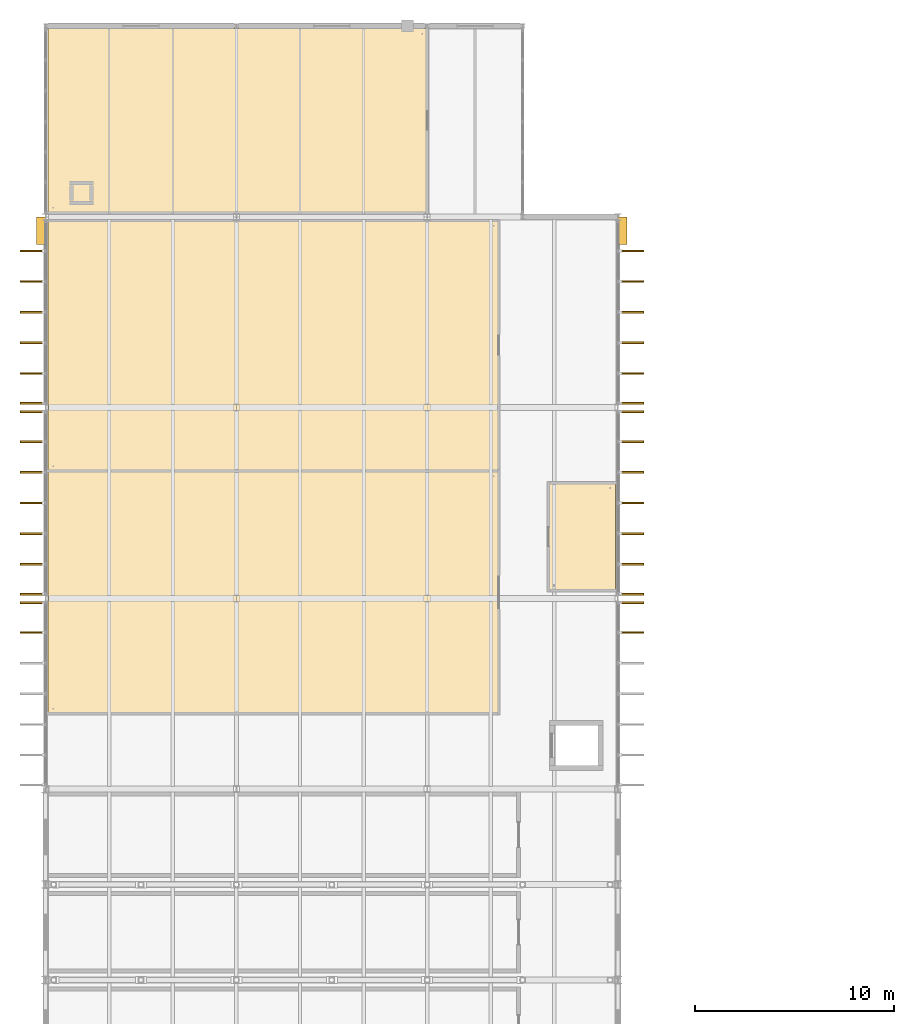
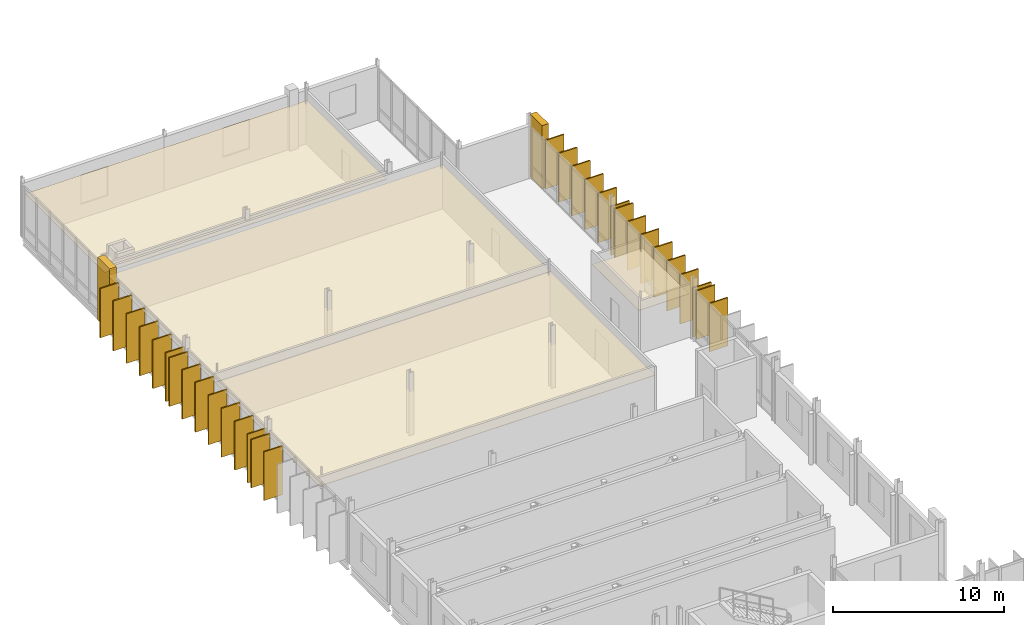
# One storey, part 108 of 110: 36 coverings.
"""IFC4 building model written with IfcOpenShell, lengths in metres."""

from ifc_helpers import new_model, si_unit, direction, frame, origin, origin_2d, place, context, subcontext, project, spatial, polyline, rectangle, outline, extrude, material, layer, layer_set, type_object, element, save


model = new_model("IFC4")

# Units and contexts
model_context = context("Model", 3, precision=1e-05, world=origin(), true_north=direction((0.0, 1.0)))
body_context = subcontext(model_context, "Body", "Model", "MODEL_VIEW")
ifc_project = project(units=[si_unit("LENGTHUNIT", "METRE"), si_unit("AREAUNIT", "SQUARE_METRE"), si_unit("VOLUMEUNIT", "CUBIC_METRE"), si_unit("PLANEANGLEUNIT", "RADIAN"), si_unit("MASSUNIT", "GRAM", prefix="KILO")], contexts=[model_context])

# Site, building, storey
site_placement = place(None, origin())
site = spatial("IfcSite", under=ifc_project, at=site_placement, CompositionType="ELEMENT")
building_placement = place(site_placement, origin())
building = spatial("IfcBuilding", under=site, at=building_placement, Name="Dunescarp Central Library", CompositionType="ELEMENT")
storey_placement = place(building_placement, frame((0.0, 0.0, 9.60009765625)))
storey = spatial("IfcBuildingStorey", under=building, at=storey_placement, Name="L02", CompositionType="ELEMENT", Elevation=9.60009765625)

# Coverings
ifc_material_1 = material(Name="Mineral-fibre acoustic ceiling tile")
ifc_layer_1 = layer(ifc_material_1, 0.0400390625)
ifc_layer_set_1 = layer_set([ifc_layer_1], Name="Mineral-fibre acoustic ceiling tile")
covering_type_1 = type_object("IfcCoveringType", Name="ARC-COV-CEIL40", PredefinedType="CEILING", material=ifc_layer_set_1)
covering_1_placement = place(storey_placement, frame((0.0, 0.0, 3.0498046875)))
element("IfcCovering", 1, at=covering_1_placement, inside=storey, type_object=covering_type_1, Name="L02 ceiling West Maker Wing WC", PredefinedType="CEILING", context=body_context, shape_type="SweptSolid", body=[
    extrude(outline(polyline([(25.280029296875, 70.780029296875), (28.679931640625, 70.780029296875), (28.679931640625, 76.219970703125), (25.280029296875, 76.219970703125), (25.280029296875, 70.780029296875)])), origin(), (0.0, 0.0, 1.0), 0.0400390625),
])
covering_2_placement = place(storey_placement, frame((0.0, 0.0, 3.0498046875)))
element("IfcCovering", 2, at=covering_2_placement, inside=storey, type_object=covering_type_1, Name="L02 ceiling Textile, Laser & Woodwork Makerspace", PredefinedType="CEILING", context=body_context, shape_type="SweptSolid", body=[
    extrude(outline(polyline([(0.1201171875, 64.580078125), (22.820068359375, 64.580078125), (22.820068359375, 76.820068359375), (0.1201171875, 76.820068359375), (0.1201171875, 64.580078125)])), origin(), (0.0, 0.0, 1.0), 0.0400390625),
])
covering_3_placement = place(storey_placement, frame((0.0, 0.0, 3.0498046875)))
element("IfcCovering", 3, at=covering_3_placement, inside=storey, type_object=covering_type_1, Name="L02 ceiling Interactive Design & CAD Studio", PredefinedType="CEILING", context=body_context, shape_type="SweptSolid", body=[
    extrude(outline(polyline([(0.1201171875, 76.780029296875), (22.820068359375, 76.780029296875), (22.820068359375, 89.419921875), (0.1201171875, 89.419921875), (0.1201171875, 76.780029296875)])), origin(), (0.0, 0.0, 1.0), 0.0400390625),
])
covering_4_placement = place(storey_placement, frame((0.0, 0.0, 3.0498046875)))
element("IfcCovering", 4, at=covering_4_placement, inside=storey, type_object=covering_type_1, Name="L02 ceiling GIS & Urban Climate Lab", PredefinedType="CEILING", context=body_context, shape_type="SweptSolid", body=[
    extrude(outline(polyline([(0.1201171875, 89.780029296875), (19.219970703125, 89.780029296875), (19.219970703125, 99.080078125), (0.1201171875, 99.080078125), (0.1201171875, 89.780029296875)])), origin(), (0.0, 0.0, 1.0), 0.0400390625),
])
ifc_material_2 = material(Name="Glass-fibre reinforced concrete GRC", Category="concrete")
ifc_layer_2 = layer(ifc_material_2, 0.090087890625)
ifc_layer_set_2 = layer_set([ifc_layer_2], Name="Glass-fibre reinforced concrete GRC")
covering_type_2 = type_object("IfcCoveringType", Name="ARC-COV-FIN1250", PredefinedType="CLADDING", material=ifc_layer_set_2)
covering_5_placement = place(storey_placement, frame((-0.662109375, 68.68310546875, 0.080322265625), z_axis=(0.0, 0.0, 1.0), x_axis=(-1.0, 0.0, 0.0)))
element("IfcCovering", 5, at=covering_5_placement, inside=storey, type_object=covering_type_2, Name="L02 parametric vertical facade fin FIN-L02-0828", PredefinedType="CLADDING", context=body_context, shape_type="SweptSolid", body=[
    extrude(rectangle(XDim=1.25, YDim=0.090087890625, at=origin_2d()), origin(), (0.0, 0.0, 1.0), 3.48095703125),
])
covering_6_placement = place(storey_placement, frame((-0.662109375, 70.18505859375, 0.080078125), z_axis=(0.0, 0.0, 1.0), x_axis=(-1.0, 0.0, 0.0)))
element("IfcCovering", 6, at=covering_6_placement, inside=storey, type_object=covering_type_2, Name="L02 parametric vertical facade fin FIN-L02-0829", PredefinedType="CLADDING", context=body_context, shape_type="SweptSolid", body=[
    extrude(rectangle(XDim=1.25, YDim=0.090087890625, at=origin_2d()), origin(), (0.0, 0.0, 1.0), 3.447998046875),
])
covering_7_placement = place(storey_placement, frame((29.4619140625, 70.18505859375, 0.166259765625), z_axis=(0.0, 0.0, 1.0), x_axis=(1.0, 0.0, 0.0)))
element("IfcCovering", 7, at=covering_7_placement, inside=storey, type_object=covering_type_2, Name="L02 parametric vertical facade fin FIN-L02-0830", PredefinedType="CLADDING", context=body_context, shape_type="SweptSolid", body=[
    extrude(rectangle(XDim=1.25, YDim=0.090087890625, at=origin_2d()), origin(), (0.0, 0.0, 1.0), 3.455078125),
])
covering_8_placement = place(storey_placement, frame((29.4619140625, 68.68310546875, 0.179931640625), z_axis=(0.0, 0.0, 1.0), x_axis=(1.0, 0.0, 0.0)))
element("IfcCovering", 8, at=covering_8_placement, inside=storey, type_object=covering_type_2, Name="L02 parametric vertical facade fin FIN-L02-0831", PredefinedType="CLADDING", context=body_context, shape_type="SweptSolid", body=[
    extrude(rectangle(XDim=1.25, YDim=0.090087890625, at=origin_2d()), origin(), (0.0, 0.0, 1.0), 3.44189453125),
])
covering_9_placement = place(storey_placement, frame((-0.662109375, 70.614990234375, 0.1669921875), z_axis=(0.0, 0.0, 1.0), x_axis=(-1.0, 0.0, 0.0)))
element("IfcCovering", 9, at=covering_9_placement, inside=storey, type_object=covering_type_2, Name="L02 parametric vertical facade fin FIN-L02-0837", PredefinedType="CLADDING", context=body_context, shape_type="SweptSolid", body=[
    extrude(rectangle(XDim=1.25, YDim=0.090087890625, at=origin_2d()), origin(), (0.0, 0.0, 1.0), 3.488037109375),
])
covering_10_placement = place(storey_placement, frame((-0.662109375, 72.116943359375, 0.180419921875), z_axis=(0.0, 0.0, 1.0), x_axis=(-1.0, 0.0, 0.0)))
element("IfcCovering", 10, at=covering_10_placement, inside=storey, type_object=covering_type_2, Name="L02 parametric vertical facade fin FIN-L02-0838", PredefinedType="CLADDING", context=body_context, shape_type="SweptSolid", body=[
    extrude(rectangle(XDim=1.25, YDim=0.090087890625, at=origin_2d()), origin(), (0.0, 0.0, 1.0), 3.47509765625),
])
covering_11_placement = place(storey_placement, frame((-0.662109375, 73.657958984375, 0.16357421875), z_axis=(0.0, 0.0, 1.0), x_axis=(-1.0, 0.0, 0.0)))
element("IfcCovering", 11, at=covering_11_placement, inside=storey, type_object=covering_type_2, Name="L02 parametric vertical facade fin FIN-L02-0839", PredefinedType="CLADDING", context=body_context, shape_type="SweptSolid", body=[
    extrude(rectangle(XDim=1.25, YDim=0.090087890625, at=origin_2d()), origin(), (0.0, 0.0, 1.0), 3.490966796875),
])
covering_12_placement = place(storey_placement, frame((-0.662109375, 75.199951171875, 0.123046875), z_axis=(0.0, 0.0, 1.0), x_axis=(-1.0, 0.0, 0.0)))
element("IfcCovering", 12, at=covering_12_placement, inside=storey, type_object=covering_type_2, Name="L02 parametric vertical facade fin FIN-L02-0840", PredefinedType="CLADDING", context=body_context, shape_type="SweptSolid", body=[
    extrude(rectangle(XDim=1.25, YDim=0.090087890625, at=origin_2d()), origin(), (0.0, 0.0, 1.0), 3.531982421875),
])
covering_13_placement = place(storey_placement, frame((-0.662109375, 76.741943359375, 0.079833984375), z_axis=(0.0, 0.0, 1.0), x_axis=(-1.0, 0.0, 0.0)))
element("IfcCovering", 13, at=covering_13_placement, inside=storey, type_object=covering_type_2, Name="L02 parametric vertical facade fin FIN-L02-0841", PredefinedType="CLADDING", context=body_context, shape_type="SweptSolid", body=[
    extrude(rectangle(XDim=1.25, YDim=0.090087890625, at=origin_2d()), origin(), (0.0, 0.0, 1.0), 3.56396484375),
])
covering_14_placement = place(storey_placement, frame((-0.662109375, 78.282958984375, 0.080078125), z_axis=(0.0, 0.0, 1.0), x_axis=(-1.0, 0.0, 0.0)))
element("IfcCovering", 14, at=covering_14_placement, inside=storey, type_object=covering_type_2, Name="L02 parametric vertical facade fin FIN-L02-0842", PredefinedType="CLADDING", context=body_context, shape_type="SweptSolid", body=[
    extrude(rectangle(XDim=1.25, YDim=0.090087890625, at=origin_2d()), origin(), (0.0, 0.0, 1.0), 3.513916015625),
])
covering_15_placement = place(storey_placement, frame((-0.662109375, 79.784912109375, 0.080322265625), z_axis=(0.0, 0.0, 1.0), x_axis=(-1.0, 0.0, 0.0)))
element("IfcCovering", 15, at=covering_15_placement, inside=storey, type_object=covering_type_2, Name="L02 parametric vertical facade fin FIN-L02-0843", PredefinedType="CLADDING", context=body_context, shape_type="SweptSolid", body=[
    extrude(rectangle(XDim=1.25, YDim=0.090087890625, at=origin_2d()), origin(), (0.0, 0.0, 1.0), 3.48095703125),
])
covering_16_placement = place(storey_placement, frame((29.4619140625, 79.784912109375, 0.1669921875), z_axis=(0.0, 0.0, 1.0), x_axis=(1.0, 0.0, 0.0)))
element("IfcCovering", 16, at=covering_16_placement, inside=storey, type_object=covering_type_2, Name="L02 parametric vertical facade fin FIN-L02-0844", PredefinedType="CLADDING", context=body_context, shape_type="SweptSolid", body=[
    extrude(rectangle(XDim=1.25, YDim=0.090087890625, at=origin_2d()), origin(), (0.0, 0.0, 1.0), 3.488037109375),
])
covering_17_placement = place(storey_placement, frame((29.4619140625, 78.282958984375, 0.180419921875), z_axis=(0.0, 0.0, 1.0), x_axis=(1.0, 0.0, 0.0)))
element("IfcCovering", 17, at=covering_17_placement, inside=storey, type_object=covering_type_2, Name="L02 parametric vertical facade fin FIN-L02-0845", PredefinedType="CLADDING", context=body_context, shape_type="SweptSolid", body=[
    extrude(rectangle(XDim=1.25, YDim=0.090087890625, at=origin_2d()), origin(), (0.0, 0.0, 1.0), 3.47509765625),
])
covering_18_placement = place(storey_placement, frame((29.4619140625, 76.741943359375, 0.16357421875), z_axis=(0.0, 0.0, 1.0), x_axis=(1.0, 0.0, 0.0)))
element("IfcCovering", 18, at=covering_18_placement, inside=storey, type_object=covering_type_2, Name="L02 parametric vertical facade fin FIN-L02-0846", PredefinedType="CLADDING", context=body_context, shape_type="SweptSolid", body=[
    extrude(rectangle(XDim=1.25, YDim=0.090087890625, at=origin_2d()), origin(), (0.0, 0.0, 1.0), 3.490966796875),
])
covering_19_placement = place(storey_placement, frame((29.4619140625, 75.199951171875, 0.123046875), z_axis=(0.0, 0.0, 1.0), x_axis=(1.0, 0.0, 0.0)))
element("IfcCovering", 19, at=covering_19_placement, inside=storey, type_object=covering_type_2, Name="L02 parametric vertical facade fin FIN-L02-0847", PredefinedType="CLADDING", context=body_context, shape_type="SweptSolid", body=[
    extrude(rectangle(XDim=1.25, YDim=0.090087890625, at=origin_2d()), origin(), (0.0, 0.0, 1.0), 3.531982421875),
])
covering_20_placement = place(storey_placement, frame((29.4619140625, 73.657958984375, 0.079833984375), z_axis=(0.0, 0.0, 1.0), x_axis=(1.0, 0.0, 0.0)))
element("IfcCovering", 20, at=covering_20_placement, inside=storey, type_object=covering_type_2, Name="L02 parametric vertical facade fin FIN-L02-0848", PredefinedType="CLADDING", context=body_context, shape_type="SweptSolid", body=[
    extrude(rectangle(XDim=1.25, YDim=0.090087890625, at=origin_2d()), origin(), (0.0, 0.0, 1.0), 3.56396484375),
])
covering_21_placement = place(storey_placement, frame((29.4619140625, 72.116943359375, 0.080078125), z_axis=(0.0, 0.0, 1.0), x_axis=(1.0, 0.0, 0.0)))
element("IfcCovering", 21, at=covering_21_placement, inside=storey, type_object=covering_type_2, Name="L02 parametric vertical facade fin FIN-L02-0849", PredefinedType="CLADDING", context=body_context, shape_type="SweptSolid", body=[
    extrude(rectangle(XDim=1.25, YDim=0.090087890625, at=origin_2d()), origin(), (0.0, 0.0, 1.0), 3.513916015625),
])
covering_22_placement = place(storey_placement, frame((29.4619140625, 70.614990234375, 0.080322265625), z_axis=(0.0, 0.0, 1.0), x_axis=(1.0, 0.0, 0.0)))
element("IfcCovering", 22, at=covering_22_placement, inside=storey, type_object=covering_type_2, Name="L02 parametric vertical facade fin FIN-L02-0850", PredefinedType="CLADDING", context=body_context, shape_type="SweptSolid", body=[
    extrude(rectangle(XDim=1.25, YDim=0.090087890625, at=origin_2d()), origin(), (0.0, 0.0, 1.0), 3.48095703125),
])
covering_23_placement = place(storey_placement, frame((-0.662109375, 80.215087890625, 0.1669921875), z_axis=(0.0, 0.0, 1.0), x_axis=(-1.0, 0.0, 0.0)))
element("IfcCovering", 23, at=covering_23_placement, inside=storey, type_object=covering_type_2, Name="L02 parametric vertical facade fin FIN-L02-0851", PredefinedType="CLADDING", context=body_context, shape_type="SweptSolid", body=[
    extrude(rectangle(XDim=1.25, YDim=0.090087890625, at=origin_2d()), origin(), (0.0, 0.0, 1.0), 3.488037109375),
])
covering_24_placement = place(storey_placement, frame((-0.662109375, 81.717041015625, 0.180419921875), z_axis=(0.0, 0.0, 1.0), x_axis=(-1.0, 0.0, 0.0)))
element("IfcCovering", 24, at=covering_24_placement, inside=storey, type_object=covering_type_2, Name="L02 parametric vertical facade fin FIN-L02-0852", PredefinedType="CLADDING", context=body_context, shape_type="SweptSolid", body=[
    extrude(rectangle(XDim=1.25, YDim=0.090087890625, at=origin_2d()), origin(), (0.0, 0.0, 1.0), 3.47509765625),
])
covering_25_placement = place(storey_placement, frame((-0.662109375, 83.258056640625, 0.16357421875), z_axis=(0.0, 0.0, 1.0), x_axis=(-1.0, 0.0, 0.0)))
element("IfcCovering", 25, at=covering_25_placement, inside=storey, type_object=covering_type_2, Name="L02 parametric vertical facade fin FIN-L02-0853", PredefinedType="CLADDING", context=body_context, shape_type="SweptSolid", body=[
    extrude(rectangle(XDim=1.25, YDim=0.090087890625, at=origin_2d()), origin(), (0.0, 0.0, 1.0), 3.490966796875),
])
covering_26_placement = place(storey_placement, frame((-0.662109375, 84.800048828125, 0.123046875), z_axis=(0.0, 0.0, 1.0), x_axis=(-1.0, 0.0, 0.0)))
element("IfcCovering", 26, at=covering_26_placement, inside=storey, type_object=covering_type_2, Name="L02 parametric vertical facade fin FIN-L02-0854", PredefinedType="CLADDING", context=body_context, shape_type="SweptSolid", body=[
    extrude(rectangle(XDim=1.25, YDim=0.090087890625, at=origin_2d()), origin(), (0.0, 0.0, 1.0), 3.531982421875),
])
covering_27_placement = place(storey_placement, frame((-0.662109375, 86.342041015625, 0.079833984375), z_axis=(0.0, 0.0, 1.0), x_axis=(-1.0, 0.0, 0.0)))
element("IfcCovering", 27, at=covering_27_placement, inside=storey, type_object=covering_type_2, Name="L02 parametric vertical facade fin FIN-L02-0855", PredefinedType="CLADDING", context=body_context, shape_type="SweptSolid", body=[
    extrude(rectangle(XDim=1.25, YDim=0.090087890625, at=origin_2d()), origin(), (0.0, 0.0, 1.0), 3.56396484375),
])
covering_28_placement = place(storey_placement, frame((-0.662109375, 87.883056640625, 0.080078125), z_axis=(0.0, 0.0, 1.0), x_axis=(-1.0, 0.0, 0.0)))
element("IfcCovering", 28, at=covering_28_placement, inside=storey, type_object=covering_type_2, Name="L02 parametric vertical facade fin FIN-L02-0856", PredefinedType="CLADDING", context=body_context, shape_type="SweptSolid", body=[
    extrude(rectangle(XDim=1.25, YDim=0.090087890625, at=origin_2d()), origin(), (0.0, 0.0, 1.0), 3.513916015625),
])
covering_29_placement = place(storey_placement, frame((29.4619140625, 87.883056640625, 0.180419921875), z_axis=(0.0, 0.0, 1.0), x_axis=(1.0, 0.0, 0.0)))
element("IfcCovering", 29, at=covering_29_placement, inside=storey, type_object=covering_type_2, Name="L02 parametric vertical facade fin FIN-L02-0857", PredefinedType="CLADDING", context=body_context, shape_type="SweptSolid", body=[
    extrude(rectangle(XDim=1.25, YDim=0.090087890625, at=origin_2d()), origin(), (0.0, 0.0, 1.0), 3.47509765625),
])
covering_30_placement = place(storey_placement, frame((29.4619140625, 86.342041015625, 0.16357421875), z_axis=(0.0, 0.0, 1.0), x_axis=(1.0, 0.0, 0.0)))
element("IfcCovering", 30, at=covering_30_placement, inside=storey, type_object=covering_type_2, Name="L02 parametric vertical facade fin FIN-L02-0858", PredefinedType="CLADDING", context=body_context, shape_type="SweptSolid", body=[
    extrude(rectangle(XDim=1.25, YDim=0.090087890625, at=origin_2d()), origin(), (0.0, 0.0, 1.0), 3.490966796875),
])
covering_31_placement = place(storey_placement, frame((29.4619140625, 84.800048828125, 0.123046875), z_axis=(0.0, 0.0, 1.0), x_axis=(1.0, 0.0, 0.0)))
element("IfcCovering", 31, at=covering_31_placement, inside=storey, type_object=covering_type_2, Name="L02 parametric vertical facade fin FIN-L02-0859", PredefinedType="CLADDING", context=body_context, shape_type="SweptSolid", body=[
    extrude(rectangle(XDim=1.25, YDim=0.090087890625, at=origin_2d()), origin(), (0.0, 0.0, 1.0), 3.531982421875),
])
covering_32_placement = place(storey_placement, frame((29.4619140625, 83.258056640625, 0.079833984375), z_axis=(0.0, 0.0, 1.0), x_axis=(1.0, 0.0, 0.0)))
element("IfcCovering", 32, at=covering_32_placement, inside=storey, type_object=covering_type_2, Name="L02 parametric vertical facade fin FIN-L02-0860", PredefinedType="CLADDING", context=body_context, shape_type="SweptSolid", body=[
    extrude(rectangle(XDim=1.25, YDim=0.090087890625, at=origin_2d()), origin(), (0.0, 0.0, 1.0), 3.56396484375),
])
covering_33_placement = place(storey_placement, frame((29.4619140625, 81.717041015625, 0.080078125), z_axis=(0.0, 0.0, 1.0), x_axis=(1.0, 0.0, 0.0)))
element("IfcCovering", 33, at=covering_33_placement, inside=storey, type_object=covering_type_2, Name="L02 parametric vertical facade fin FIN-L02-0861", PredefinedType="CLADDING", context=body_context, shape_type="SweptSolid", body=[
    extrude(rectangle(XDim=1.25, YDim=0.090087890625, at=origin_2d()), origin(), (0.0, 0.0, 1.0), 3.513916015625),
])
covering_34_placement = place(storey_placement, frame((29.4619140625, 80.215087890625, 0.080322265625), z_axis=(0.0, 0.0, 1.0), x_axis=(1.0, 0.0, 0.0)))
element("IfcCovering", 34, at=covering_34_placement, inside=storey, type_object=covering_type_2, Name="L02 parametric vertical facade fin FIN-L02-0862", PredefinedType="CLADDING", context=body_context, shape_type="SweptSolid", body=[
    extrude(rectangle(XDim=1.25, YDim=0.090087890625, at=origin_2d()), origin(), (0.0, 0.0, 1.0), 3.48095703125),
])
ifc_layer_3 = layer(ifc_material_2, 0.449951171875)
ifc_layer_set_3 = layer_set([ifc_layer_3], Name="Glass-fibre reinforced concrete GRC")
covering_type_3 = type_object("IfcCoveringType", Name="ARC-COV-PORTAL", PredefinedType="CLADDING", material=ifc_layer_set_3)
for number, where, z_axis, x_axis, name in (
    (35, (-0.219970703125, 88.89990234375, 0.0), (0.0, 0.0, 1.0), (1.0, 0.0, 0.0), "V4 sculpted GRC portal pier PRT-BAND-V4-073"),
    (36, (29.02001953125, 88.89990234375, 0.0), (0.0, 0.0, 1.0), (1.0, 0.0, 0.0), "V4 sculpted GRC portal pier PRT-BAND-V4-074"),
):
    element("IfcCovering", number, at=place(storey_placement, frame(where, z_axis=z_axis, x_axis=x_axis)), inside=storey, type_object=covering_type_3, Name=name, PredefinedType="CLADDING", context=body_context, shape_type="SweptSolid", body=[
        extrude(rectangle(XDim=0.449951171875, YDim=1.39990234375, at=origin_2d()), origin(), (0.0, 0.0, 1.0), 4.5),
    ])

save(model, "model.ifc")
